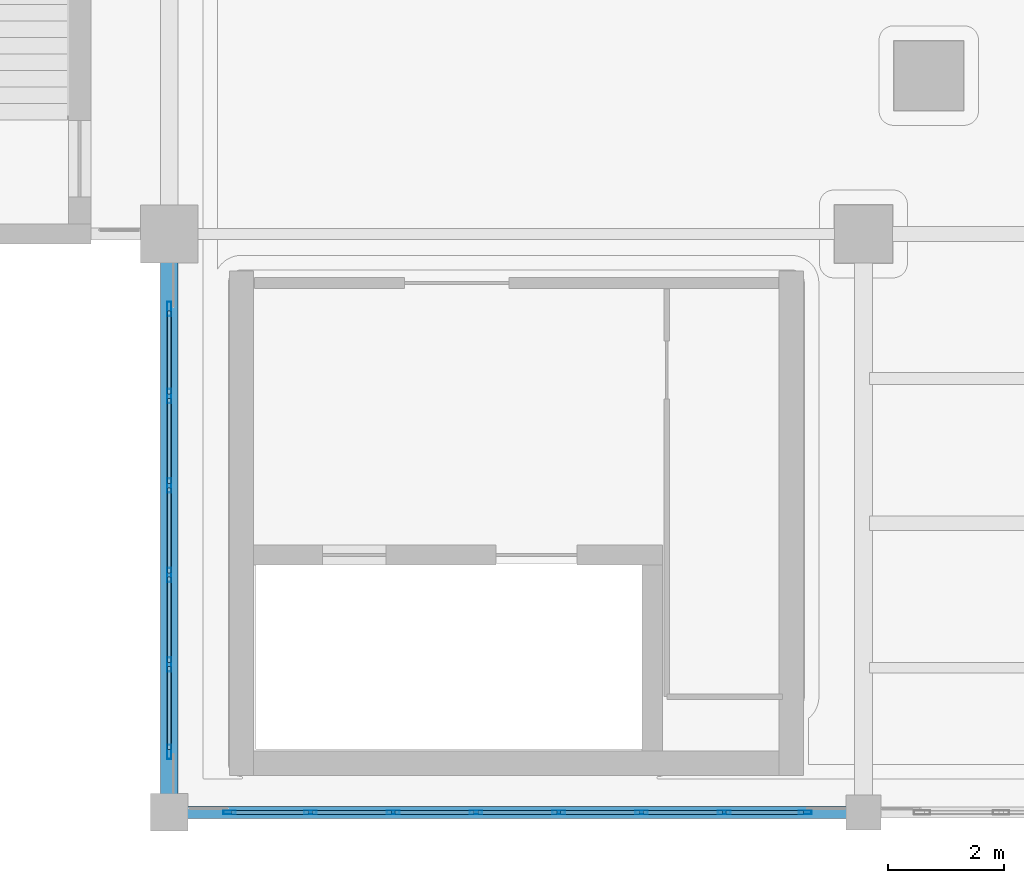
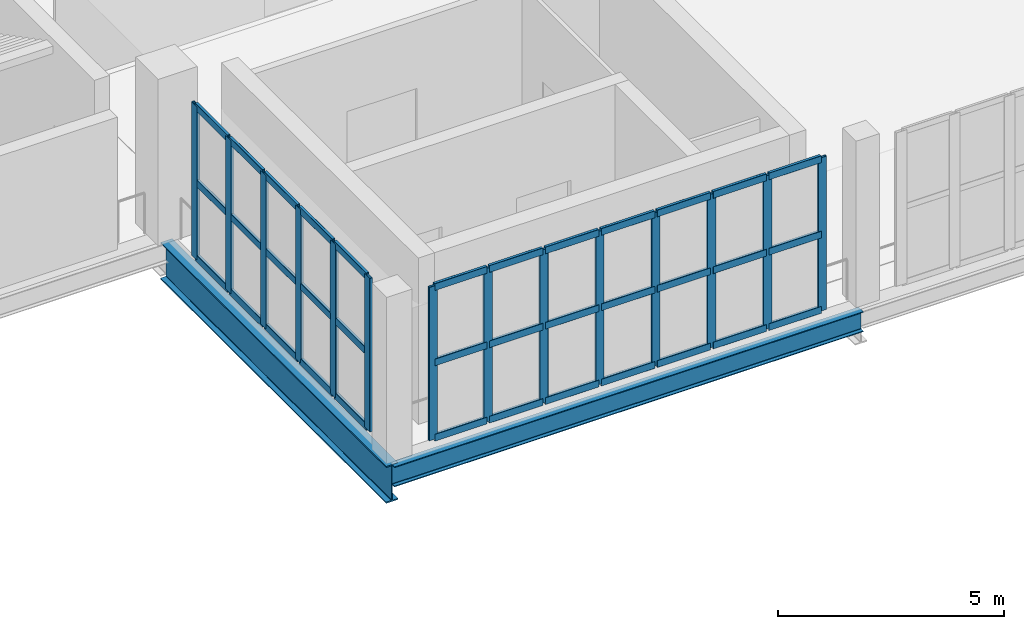
# One storey, part 30 of 108: 50 members, 2 beams, 2 elements without a shape of their own.
"""IFC4 building model written with IfcOpenShell, lengths in metres."""

import ifcopenshell
import ifcopenshell.guid

model = None  # the IFC model being written
_history = None  # IfcOwnerHistory: only IFC2X3 demands one
_inside = {}  # id of a spatial element -> (the spatial element, [elements in it])
_under = {}  # id of a project, library or spatial element -> (it, [spatial elements below it])
_declared = {}  # id of a project -> (the project, [libraries it declares])
_typed = {}  # id of a type object -> (the type object, [elements of that type])
_made_of = {}  # id of a material, layer set ... -> (it, [elements and type objects made of it])


def new_model(schema):
    """Start an empty IFC model of exactly this schema.

    Asked for "IFC4X3", IfcOpenShell would pick the latest addendum, in which some entities
    have other attributes; the version numbers below select the first issue.
    IFC2X3 requires an IfcOwnerHistory on every rooted entity: one is made here for all.
    """
    global model, _history
    if schema == "IFC4X3":
        model = ifcopenshell.file(schema_version=(4, 3, 0, 0))
    else:
        model = ifcopenshell.file(schema=schema)
    _inside.clear()
    _under.clear()
    _declared.clear()
    _typed.clear()
    _made_of.clear()
    _history = None
    if model.schema == "IFC2X3":
        org = make("IfcOrganization", Name="unknown")
        user = make(
            "IfcPersonAndOrganization",
            ThePerson=make("IfcPerson", FamilyName="unknown"),
            TheOrganization=org,
        )
        app = make(
            "IfcApplication",
            ApplicationDeveloper=org,
            Version="unknown",
            ApplicationFullName="unknown",
            ApplicationIdentifier="unknown",
        )
        _history = make(
            "IfcOwnerHistory",
            OwningUser=user,
            OwningApplication=app,
            ChangeAction="ADDED",
            CreationDate=0,
        )
    return model


def make(cls, **values):
    """One entity of the class cls with the attributes given. An attribute that is None is left unset."""
    return model.create_entity(
        cls, **{name: value for name, value in values.items() if value is not None}
    )


def rooted(cls, **values):
    """An entity with a GlobalId (a new one), such as an element, a storey or a relation."""
    return make(cls, GlobalId=ifcopenshell.guid.new(), OwnerHistory=_history, **values)


def si_unit(unit_type, name, prefix=None):
    """IfcSIUnit, for example si_unit("LENGTHUNIT", "METRE", prefix="MILLI")."""
    return make("IfcSIUnit", UnitType=unit_type, Prefix=prefix, Name=name)


def assignment(units):
    """IfcUnitAssignment: the units of a project."""
    return None if units is None else make("IfcUnitAssignment", Units=units)


def point(xyz):
    """IfcCartesianPoint."""
    return None if xyz is None else make("IfcCartesianPoint", Coordinates=xyz)


def direction(xyz):
    """IfcDirection."""
    return None if xyz is None else make("IfcDirection", DirectionRatios=xyz)


def frame(location, z_axis=None, x_axis=None):
    """IfcAxis2Placement3D, a coordinate frame: its origin and axes. An axis left out is left unset."""
    return make(
        "IfcAxis2Placement3D",
        Location=point(location),
        Axis=direction(z_axis),
        RefDirection=direction(x_axis),
    )


def frame_2d(location, x_axis=None):
    """IfcAxis2Placement2D, a coordinate frame in the plane: its origin and x axis."""
    return make(
        "IfcAxis2Placement2D", Location=point(location), RefDirection=direction(x_axis)
    )


def origin():
    """The frame at (0, 0, 0) with its axes left unset."""
    return frame((0.0, 0.0, 0.0))


def origin_2d():
    """The frame at (0, 0) in the plane with its x axis left unset."""
    return frame_2d((0.0, 0.0))


def place(relative_to, where):
    """IfcLocalPlacement: puts the frame where relative to a parent placement (None: the world)."""
    return make(
        "IfcLocalPlacement", PlacementRelTo=relative_to, RelativePlacement=where
    )


def context(
    kind, dimensions, precision=None, world=None, true_north=None, identifier=None
):
    """IfcGeometricRepresentationContext, for example the 3D "Model" context."""
    return make(
        "IfcGeometricRepresentationContext",
        ContextIdentifier=identifier,
        ContextType=kind,
        CoordinateSpaceDimension=dimensions,
        Precision=precision,
        WorldCoordinateSystem=world,
        TrueNorth=true_north,
    )


def subcontext(parent, identifier, kind, view, scale=None):
    """IfcGeometricRepresentationSubContext, for example "Body" below "Model"."""
    return make(
        "IfcGeometricRepresentationSubContext",
        ContextIdentifier=identifier,
        ContextType=kind,
        ParentContext=parent,
        TargetScale=scale,
        TargetView=view,
    )


def project(units=None, contexts=None):
    """IfcProject with its units and contexts."""
    return rooted(
        "IfcProject",
        Name="project",
        RepresentationContexts=contexts,
        UnitsInContext=assignment(units),
    )


def spatial(cls, under=None, at=None, **own):
    """A site, building, storey or space (cls), placed at a placement, below another one or the project."""
    s = rooted(cls, ObjectPlacement=at, **own)
    if under is not None:
        _under.setdefault(under.id(), (under, []))[1].append(s)
    return s


def profile(cls, at=None, kind="AREA", **sizes):
    """A parametric profile (cls). Its sizes go by their IFC names, for example OverallWidth=200.0."""
    return make(cls, ProfileType=kind, Position=at, **sizes)


def hollow_rectangle(**sizes):
    """IfcRectangleHollowProfileDef."""
    return profile("IfcRectangleHollowProfileDef", **sizes)


def i_section(**sizes):
    """IfcIShapeProfileDef."""
    return profile("IfcIShapeProfileDef", **sizes)


def extrude(swept, where, along, depth):
    """IfcExtrudedAreaSolid: the profile swept, set in the frame where, extruded along a direction by depth."""
    return make(
        "IfcExtrudedAreaSolid",
        SweptArea=swept,
        Position=where,
        ExtrudedDirection=direction(along),
        Depth=depth,
    )


def shape(context_of_items, identifier, shape_type, items):
    """IfcShapeRepresentation: the items that make up one representation, for example the "Body"."""
    return make(
        "IfcShapeRepresentation",
        ContextOfItems=context_of_items,
        RepresentationIdentifier=identifier,
        RepresentationType=shape_type,
        Items=items,
    )


def material(Name=None, Category=None):
    """IfcMaterial."""
    return make("IfcMaterial", Name=Name, Category=Category)


def layer(
    of_material, thickness, ventilated=None, Name=None, Category=None, Priority=None
):
    """IfcMaterialLayer: one layer of a wall or slab, of a material (None: an air gap)."""
    return make(
        "IfcMaterialLayer",
        Material=of_material,
        LayerThickness=thickness,
        IsVentilated=ventilated,
        Name=Name,
        Category=Category,
        Priority=Priority,
    )


def layer_set(layers, Name=None):
    """IfcMaterialLayerSet."""
    return make("IfcMaterialLayerSet", MaterialLayers=layers, LayerSetName=Name)


def material_profile(
    of_material, cross_section, Name=None, Category=None, Priority=None
):
    """IfcMaterialProfile: a cross section and its material."""
    return make(
        "IfcMaterialProfile",
        Name=Name,
        Material=of_material,
        Profile=cross_section,
        Priority=Priority,
        Category=Category,
    )


def profile_set(profiles, Name=None, composite=None):
    """IfcMaterialProfileSet."""
    return make(
        "IfcMaterialProfileSet",
        Name=Name,
        MaterialProfiles=profiles,
        CompositeProfile=composite,
    )


def made_of(thing, what):
    """Note that an element or type object is made of a material, layer set ...; save() writes the relation."""
    if what is not None:
        _made_of.setdefault(what.id(), (what, []))[1].append(thing)
    return thing


def type_object(cls, material=None, **own):
    """A type object (cls), such as IfcWallType, which elements share."""
    return made_of(rooted(cls, **own), material)


def element(
    cls,
    number,
    at=None,
    inside=None,
    cuts=None,
    type_object=None,
    material=None,
    context=None,
    identifier="Body",
    shape_type=None,
    held_by="IfcProductDefinitionShape",
    body=None,
    shapes=None,
    **own,
):
    """One element of the class cls, such as IfcWall. Its Tag is "e" and its number.

    at: its placement. inside: the storey or other place that contains it. cuts: it is an
    opening in that element (IfcRelVoidsElement). A single representation is given by context,
    identifier, shape_type and body (its items); several are given by shapes. held_by: the class
    of the entity that holds the representations. save() writes the other relations.
    """
    e = rooted(cls, Tag="e%d" % number, ObjectPlacement=at, **own)
    if body is not None:
        shapes = [shape(context, identifier, shape_type, body)]
    if shapes is not None:
        e.Representation = make(held_by, Representations=shapes)
    if inside is not None:
        _inside.setdefault(inside.id(), (inside, []))[1].append(e)
    if cuts is not None:
        rooted(
            "IfcRelVoidsElement", RelatingBuildingElement=cuts, RelatedOpeningElement=e
        )
    if type_object is not None:
        _typed.setdefault(type_object.id(), (type_object, []))[1].append(e)
    return made_of(e, material)


def aggregate(whole, parts):
    """IfcRelAggregates: a whole, such as a stair, and the parts it consists of."""
    return rooted("IfcRelAggregates", RelatingObject=whole, RelatedObjects=parts)


def save(model, path):
    """Write the relations noted so far, then the file.

    IfcRelAggregates (storeys below a building ...), IfcRelContainedInSpatialStructure (elements
    in a storey), IfcRelDefinesByType, IfcRelAssociatesMaterial and IfcRelDeclares: one each for
    every whole, place, type object, material and project.
    """
    for whole, parts in _under.values():
        aggregate(whole, parts)
    for where, things in _inside.values():
        rooted(
            "IfcRelContainedInSpatialStructure",
            RelatedElements=things,
            RelatingStructure=where,
        )
    for kind, things in _typed.values():
        rooted("IfcRelDefinesByType", RelatedObjects=things, RelatingType=kind)
    for what, things in _made_of.values():
        rooted("IfcRelAssociatesMaterial", RelatedObjects=things, RelatingMaterial=what)
    for by, libraries in _declared.values():
        rooted("IfcRelDeclares", RelatingContext=by, RelatedDefinitions=libraries)
    model.write(path)


model = new_model("IFC4")

# Units and contexts
model_context = context("Model", 3, precision=1e-05, world=origin(), true_north=direction((0.0, 1.0)))
body_context = subcontext(model_context, "Body", "Model", "MODEL_VIEW")
ifc_project = project(units=[si_unit("LENGTHUNIT", "METRE"), si_unit("AREAUNIT", "SQUARE_METRE"), si_unit("VOLUMEUNIT", "CUBIC_METRE"), si_unit("PLANEANGLEUNIT", "RADIAN"), si_unit("MASSUNIT", "GRAM", prefix="KILO")], contexts=[model_context])

# Site, building, storey
site_placement = place(None, origin())
site = spatial("IfcSite", under=ifc_project, at=site_placement, CompositionType="ELEMENT")
building_placement = place(site_placement, origin())
building = spatial("IfcBuilding", under=site, at=building_placement, Name="Brinegate Civic Arena", CompositionType="ELEMENT")
storey_placement = place(building_placement, frame((0.0, 0.0, 10.199951171875)))
storey = spatial("IfcBuildingStorey", under=building, at=storey_placement, Name="L02", CompositionType="ELEMENT", Elevation=10.199951171875)

# Curtain wall, members
ifc_material_1 = material(Name="Marine grade aluminium", Category="aluminium")
ifc_layer = layer(ifc_material_1, 0.25, Name="Marine grade aluminium")
ifc_layer_set = layer_set([ifc_layer], Name="Marine grade aluminium")
curtain_wall_type = type_object("IfcCurtainWallType", Name="CW-PORTAL-SOUTH-02", PredefinedType="USERDEFINED", material=ifc_layer_set)
curtain_wall_1_placement = place(storey_placement, origin())
curtain_wall_1 = element("IfcCurtainWall", 1, at=curtain_wall_1_placement, inside=storey, type_object=curtain_wall_type, Name="Curtain Wall CWA-097", ObjectType="PORTAL CURTAIN WALL", PredefinedType="USERDEFINED")
ifc_material_profile_1 = material_profile(ifc_material_1, hollow_rectangle(XDim=0.06494140625, YDim=0.219970703125, WallThickness=0.006103515625, InnerFilletRadius=0.00390625, OuterFilletRadius=0.008056640625, at=origin_2d()), Name="MUL65X220")
ifc_profile_set_1 = profile_set([ifc_material_profile_1], Name="Marine grade aluminium")
member_type_1 = type_object("IfcMemberType", Name="CW-MULLION-65X220", PredefinedType="MULLION", material=ifc_profile_set_1)
member_1_placement = place(storey_placement, frame((85.04248046875, 0.0, 0.0), z_axis=(0.0, 0.0, 1.0), x_axis=(0.0, 1.0, 0.0)))
member_1 = element("IfcMember", 2, at=member_1_placement, type_object=member_type_1, Name="CWA-097 mullion 1", PredefinedType="MULLION", context=body_context, shape_type="SweptSolid", body=[
    extrude(hollow_rectangle(XDim=0.06494140625, YDim=0.219970703125, WallThickness=0.006103515625, InnerFilletRadius=0.00390625, OuterFilletRadius=0.008056640625, at=origin_2d()), origin(), (0.0, 0.0, 1.0), 4.150146484375),
])
member_2_placement = place(storey_placement, frame((86.44091796875, 0.0, 0.0), z_axis=(0.0, 0.0, 1.0), x_axis=(0.0, 1.0, 0.0)))
member_2 = element("IfcMember", 3, at=member_2_placement, type_object=member_type_1, Name="CWA-097 mullion 2", PredefinedType="MULLION", context=body_context, shape_type="SweptSolid", body=[
    extrude(hollow_rectangle(XDim=0.06494140625, YDim=0.219970703125, WallThickness=0.006103515625, InnerFilletRadius=0.00390625, OuterFilletRadius=0.008056640625, at=origin_2d()), origin(), (0.0, 0.0, 1.0), 4.150146484375),
])
member_3_placement = place(storey_placement, frame((87.871826171875, 0.0, 0.0), z_axis=(0.0, 0.0, 1.0), x_axis=(0.0, 1.0, 0.0)))
member_3 = element("IfcMember", 4, at=member_3_placement, type_object=member_type_1, Name="CWA-097 mullion 3", PredefinedType="MULLION", context=body_context, shape_type="SweptSolid", body=[
    extrude(hollow_rectangle(XDim=0.06494140625, YDim=0.219970703125, WallThickness=0.006103515625, InnerFilletRadius=0.00390625, OuterFilletRadius=0.008056640625, at=origin_2d()), origin(), (0.0, 0.0, 1.0), 4.150146484375),
])
member_4_placement = place(storey_placement, frame((89.302490234375, 0.0, 0.0), z_axis=(0.0, 0.0, 1.0), x_axis=(0.0, 1.0, 0.0)))
member_4 = element("IfcMember", 5, at=member_4_placement, type_object=member_type_1, Name="CWA-097 mullion 4", PredefinedType="MULLION", context=body_context, shape_type="SweptSolid", body=[
    extrude(hollow_rectangle(XDim=0.06494140625, YDim=0.219970703125, WallThickness=0.006103515625, InnerFilletRadius=0.00390625, OuterFilletRadius=0.008056640625, at=origin_2d()), origin(), (0.0, 0.0, 1.0), 4.150146484375),
])
member_5_placement = place(storey_placement, frame((90.7333984375, 0.0, 0.0), z_axis=(0.0, 0.0, 1.0), x_axis=(0.0, 1.0, 0.0)))
member_5 = element("IfcMember", 6, at=member_5_placement, type_object=member_type_1, Name="CWA-097 mullion 5", PredefinedType="MULLION", context=body_context, shape_type="SweptSolid", body=[
    extrude(hollow_rectangle(XDim=0.06494140625, YDim=0.219970703125, WallThickness=0.006103515625, InnerFilletRadius=0.00390625, OuterFilletRadius=0.008056640625, at=origin_2d()), origin(), (0.0, 0.0, 1.0), 4.150146484375),
])
member_6_placement = place(storey_placement, frame((92.164306640625, 0.0, 0.0), z_axis=(0.0, 0.0, 1.0), x_axis=(0.0, 1.0, 0.0)))
member_6 = element("IfcMember", 7, at=member_6_placement, type_object=member_type_1, Name="CWA-097 mullion 6", PredefinedType="MULLION", context=body_context, shape_type="SweptSolid", body=[
    extrude(hollow_rectangle(XDim=0.06494140625, YDim=0.219970703125, WallThickness=0.006103515625, InnerFilletRadius=0.00390625, OuterFilletRadius=0.008056640625, at=origin_2d()), origin(), (0.0, 0.0, 1.0), 4.150146484375),
])
member_7_placement = place(storey_placement, frame((93.59521484375, 0.0, 0.0), z_axis=(0.0, 0.0, 1.0), x_axis=(0.0, 1.0, 0.0)))
member_7 = element("IfcMember", 8, at=member_7_placement, type_object=member_type_1, Name="CWA-097 mullion 7", PredefinedType="MULLION", context=body_context, shape_type="SweptSolid", body=[
    extrude(hollow_rectangle(XDim=0.06494140625, YDim=0.219970703125, WallThickness=0.006103515625, InnerFilletRadius=0.00390625, OuterFilletRadius=0.008056640625, at=origin_2d()), origin(), (0.0, 0.0, 1.0), 4.150146484375),
])
member_8_placement = place(storey_placement, frame((94.993408203125, 0.0, 0.0), z_axis=(0.0, 0.0, 1.0), x_axis=(0.0, 1.0, 0.0)))
member_8 = element("IfcMember", 9, at=member_8_placement, type_object=member_type_1, Name="CWA-097 mullion 8", PredefinedType="MULLION", context=body_context, shape_type="SweptSolid", body=[
    extrude(hollow_rectangle(XDim=0.06494140625, YDim=0.219970703125, WallThickness=0.006103515625, InnerFilletRadius=0.00390625, OuterFilletRadius=0.008056640625, at=origin_2d()), origin(), (0.0, 0.0, 1.0), 4.150146484375),
])

curtain_wall_2_placement = place(storey_placement, origin())
curtain_wall_2 = element("IfcCurtainWall", 10, at=curtain_wall_2_placement, inside=storey, type_object=curtain_wall_type, Name="Curtain Wall CWA-102", ObjectType="PORTAL CURTAIN WALL", PredefinedType="USERDEFINED")
ifc_material_profile_2 = material_profile(ifc_material_1, hollow_rectangle(XDim=0.074951171875, YDim=0.25, WallThickness=0.006103515625, InnerFilletRadius=0.00390625, OuterFilletRadius=0.008056640625, at=origin_2d()), Name="MUL75X250")
ifc_profile_set_2 = profile_set([ifc_material_profile_2], Name="Marine grade aluminium")
member_type_2 = type_object("IfcMemberType", Name="CW-MULLION-75X250", PredefinedType="MULLION", material=ifc_profile_set_2)
member_9_placement = place(storey_placement, frame((84.0, 1.047607421875, 0.0), z_axis=(0.0, 0.0, 1.0), x_axis=(-1.0, 0.0, 0.0)))
member_9 = element("IfcMember", 11, at=member_9_placement, type_object=member_type_2, Name="CWA-102 mullion 1", PredefinedType="MULLION", context=body_context, shape_type="SweptSolid", body=[
    extrude(hollow_rectangle(XDim=0.074951171875, YDim=0.25, WallThickness=0.006103515625, InnerFilletRadius=0.00390625, OuterFilletRadius=0.008056640625, at=origin_2d()), origin(), (0.0, 0.0, 1.0), 4.150146484375),
])
member_10_placement = place(storey_placement, frame((84.0, 2.556640625, 0.0), z_axis=(0.0, 0.0, 1.0), x_axis=(-1.0, 0.0, 0.0)))
member_10 = element("IfcMember", 12, at=member_10_placement, type_object=member_type_2, Name="CWA-102 mullion 2", PredefinedType="MULLION", context=body_context, shape_type="SweptSolid", body=[
    extrude(hollow_rectangle(XDim=0.074951171875, YDim=0.25, WallThickness=0.006103515625, InnerFilletRadius=0.00390625, OuterFilletRadius=0.008056640625, at=origin_2d()), origin(), (0.0, 0.0, 1.0), 4.150146484375),
])
member_11_placement = place(storey_placement, frame((84.0, 4.103271484375, 0.0), z_axis=(0.0, 0.0, 1.0), x_axis=(-1.0, 0.0, 0.0)))
member_11 = element("IfcMember", 13, at=member_11_placement, type_object=member_type_2, Name="CWA-102 mullion 3", PredefinedType="MULLION", context=body_context, shape_type="SweptSolid", body=[
    extrude(hollow_rectangle(XDim=0.074951171875, YDim=0.25, WallThickness=0.006103515625, InnerFilletRadius=0.00390625, OuterFilletRadius=0.008056640625, at=origin_2d()), origin(), (0.0, 0.0, 1.0), 4.150146484375),
])
member_12_placement = place(storey_placement, frame((84.0, 5.64990234375, 0.0), z_axis=(0.0, 0.0, 1.0), x_axis=(-1.0, 0.0, 0.0)))
member_12 = element("IfcMember", 14, at=member_12_placement, type_object=member_type_2, Name="CWA-102 mullion 4", PredefinedType="MULLION", context=body_context, shape_type="SweptSolid", body=[
    extrude(hollow_rectangle(XDim=0.074951171875, YDim=0.25, WallThickness=0.006103515625, InnerFilletRadius=0.00390625, OuterFilletRadius=0.008056640625, at=origin_2d()), origin(), (0.0, 0.0, 1.0), 4.150146484375),
])
member_13_placement = place(storey_placement, frame((84.0, 7.1962890625, 0.0), z_axis=(0.0, 0.0, 1.0), x_axis=(-1.0, 0.0, 0.0)))
member_13 = element("IfcMember", 15, at=member_13_placement, type_object=member_type_2, Name="CWA-102 mullion 5", PredefinedType="MULLION", context=body_context, shape_type="SweptSolid", body=[
    extrude(hollow_rectangle(XDim=0.074951171875, YDim=0.25, WallThickness=0.006103515625, InnerFilletRadius=0.00390625, OuterFilletRadius=0.008056640625, at=origin_2d()), origin(), (0.0, 0.0, 1.0), 4.150146484375),
])
member_14_placement = place(storey_placement, frame((84.0, 8.70556640625, 0.0), z_axis=(0.0, 0.0, 1.0), x_axis=(-1.0, 0.0, 0.0)))
member_14 = element("IfcMember", 16, at=member_14_placement, type_object=member_type_2, Name="CWA-102 mullion 6", PredefinedType="MULLION", context=body_context, shape_type="SweptSolid", body=[
    extrude(hollow_rectangle(XDim=0.074951171875, YDim=0.25, WallThickness=0.006103515625, InnerFilletRadius=0.00390625, OuterFilletRadius=0.008056640625, at=origin_2d()), origin(), (0.0, 0.0, 1.0), 4.150146484375),
])

# Member
ifc_material_profile_3 = material_profile(ifc_material_1, hollow_rectangle(XDim=0.074951171875, YDim=0.18994140625, WallThickness=0.006103515625, InnerFilletRadius=0.00390625, OuterFilletRadius=0.008056640625, at=origin_2d()), Name="TRN75X190")
ifc_profile_set_3 = profile_set([ifc_material_profile_3], Name="Marine grade aluminium")
member_type_3 = type_object("IfcMemberType", Name="CW-TRANSOM-75X190", PredefinedType="USERDEFINED", material=ifc_profile_set_3)
member_15_placement = place(storey_placement, frame((85.074951171875, 0.0, 0.03759765625), z_axis=(1.0, 0.0, 0.0), x_axis=(0.0, 1.0, 0.0)))
member_15 = element("IfcMember", 17, at=member_15_placement, type_object=member_type_3, Name="CWA-097 transom 1.1", ObjectType="TRANSOM", PredefinedType="USERDEFINED", context=body_context, shape_type="SweptSolid", body=[
    extrude(hollow_rectangle(XDim=0.074951171875, YDim=0.18994140625, WallThickness=0.006103515625, InnerFilletRadius=0.00390625, OuterFilletRadius=0.008056640625, at=origin_2d()), origin(), (0.0, 0.0, 1.0), 1.33349609375),
])

member_16_placement = place(storey_placement, frame((85.074951171875, 0.0, 2.074951171875), z_axis=(1.0, 0.0, 0.0), x_axis=(0.0, 1.0, 0.0)))
member_16 = element("IfcMember", 18, at=member_16_placement, type_object=member_type_3, Name="CWA-097 transom 1.2", ObjectType="TRANSOM", PredefinedType="USERDEFINED", context=body_context, shape_type="SweptSolid", body=[
    extrude(hollow_rectangle(XDim=0.074951171875, YDim=0.18994140625, WallThickness=0.006103515625, InnerFilletRadius=0.00390625, OuterFilletRadius=0.008056640625, at=origin_2d()), origin(), (0.0, 0.0, 1.0), 1.33349609375),
])

member_17_placement = place(storey_placement, frame((85.074951171875, 0.0, 4.112548828125), z_axis=(1.0, 0.0, 0.0), x_axis=(0.0, 1.0, 0.0)))
member_17 = element("IfcMember", 19, at=member_17_placement, type_object=member_type_3, Name="CWA-097 transom 1.3", ObjectType="TRANSOM", PredefinedType="USERDEFINED", context=body_context, shape_type="SweptSolid", body=[
    extrude(hollow_rectangle(XDim=0.074951171875, YDim=0.18994140625, WallThickness=0.006103515625, InnerFilletRadius=0.00390625, OuterFilletRadius=0.008056640625, at=origin_2d()), origin(), (0.0, 0.0, 1.0), 1.33349609375),
])

member_18_placement = place(storey_placement, frame((86.473388671875, 0.0, 0.03759765625), z_axis=(1.0, 0.0, 0.0), x_axis=(0.0, 1.0, 0.0)))
member_18 = element("IfcMember", 20, at=member_18_placement, type_object=member_type_3, Name="CWA-097 transom 2.1", ObjectType="TRANSOM", PredefinedType="USERDEFINED", context=body_context, shape_type="SweptSolid", body=[
    extrude(hollow_rectangle(XDim=0.074951171875, YDim=0.18994140625, WallThickness=0.006103515625, InnerFilletRadius=0.00390625, OuterFilletRadius=0.008056640625, at=origin_2d()), origin(), (0.0, 0.0, 1.0), 1.36572265625),
])

member_19_placement = place(storey_placement, frame((86.473388671875, 0.0, 2.074951171875), z_axis=(1.0, 0.0, 0.0), x_axis=(0.0, 1.0, 0.0)))
member_19 = element("IfcMember", 21, at=member_19_placement, type_object=member_type_3, Name="CWA-097 transom 2.2", ObjectType="TRANSOM", PredefinedType="USERDEFINED", context=body_context, shape_type="SweptSolid", body=[
    extrude(hollow_rectangle(XDim=0.074951171875, YDim=0.18994140625, WallThickness=0.006103515625, InnerFilletRadius=0.00390625, OuterFilletRadius=0.008056640625, at=origin_2d()), origin(), (0.0, 0.0, 1.0), 1.36572265625),
])

member_20_placement = place(storey_placement, frame((86.473388671875, 0.0, 4.112548828125), z_axis=(1.0, 0.0, 0.0), x_axis=(0.0, 1.0, 0.0)))
member_20 = element("IfcMember", 22, at=member_20_placement, type_object=member_type_3, Name="CWA-097 transom 2.3", ObjectType="TRANSOM", PredefinedType="USERDEFINED", context=body_context, shape_type="SweptSolid", body=[
    extrude(hollow_rectangle(XDim=0.074951171875, YDim=0.18994140625, WallThickness=0.006103515625, InnerFilletRadius=0.00390625, OuterFilletRadius=0.008056640625, at=origin_2d()), origin(), (0.0, 0.0, 1.0), 1.36572265625),
])

member_21_placement = place(storey_placement, frame((87.904296875, 0.0, 0.03759765625), z_axis=(1.0, 0.0, 0.0), x_axis=(0.0, 1.0, 0.0)))
member_21 = element("IfcMember", 23, at=member_21_placement, type_object=member_type_3, Name="CWA-097 transom 3.1", ObjectType="TRANSOM", PredefinedType="USERDEFINED", context=body_context, shape_type="SweptSolid", body=[
    extrude(hollow_rectangle(XDim=0.074951171875, YDim=0.18994140625, WallThickness=0.006103515625, InnerFilletRadius=0.00390625, OuterFilletRadius=0.008056640625, at=origin_2d()), origin(), (0.0, 0.0, 1.0), 1.36572265625),
])

member_22_placement = place(storey_placement, frame((87.904296875, 0.0, 2.074951171875), z_axis=(1.0, 0.0, 0.0), x_axis=(0.0, 1.0, 0.0)))
member_22 = element("IfcMember", 24, at=member_22_placement, type_object=member_type_3, Name="CWA-097 transom 3.2", ObjectType="TRANSOM", PredefinedType="USERDEFINED", context=body_context, shape_type="SweptSolid", body=[
    extrude(hollow_rectangle(XDim=0.074951171875, YDim=0.18994140625, WallThickness=0.006103515625, InnerFilletRadius=0.00390625, OuterFilletRadius=0.008056640625, at=origin_2d()), origin(), (0.0, 0.0, 1.0), 1.36572265625),
])

member_23_placement = place(storey_placement, frame((87.904296875, 0.0, 4.112548828125), z_axis=(1.0, 0.0, 0.0), x_axis=(0.0, 1.0, 0.0)))
member_23 = element("IfcMember", 25, at=member_23_placement, type_object=member_type_3, Name="CWA-097 transom 3.3", ObjectType="TRANSOM", PredefinedType="USERDEFINED", context=body_context, shape_type="SweptSolid", body=[
    extrude(hollow_rectangle(XDim=0.074951171875, YDim=0.18994140625, WallThickness=0.006103515625, InnerFilletRadius=0.00390625, OuterFilletRadius=0.008056640625, at=origin_2d()), origin(), (0.0, 0.0, 1.0), 1.36572265625),
])

member_24_placement = place(storey_placement, frame((89.3349609375, 0.0, 0.03759765625), z_axis=(1.0, 0.0, 0.0), x_axis=(0.0, 1.0, 0.0)))
member_24 = element("IfcMember", 26, at=member_24_placement, type_object=member_type_3, Name="CWA-097 transom 4.1", ObjectType="TRANSOM", PredefinedType="USERDEFINED", context=body_context, shape_type="SweptSolid", body=[
    extrude(hollow_rectangle(XDim=0.074951171875, YDim=0.18994140625, WallThickness=0.006103515625, InnerFilletRadius=0.00390625, OuterFilletRadius=0.008056640625, at=origin_2d()), origin(), (0.0, 0.0, 1.0), 1.365966796875),
])

member_25_placement = place(storey_placement, frame((89.3349609375, 0.0, 2.074951171875), z_axis=(1.0, 0.0, 0.0), x_axis=(0.0, 1.0, 0.0)))
member_25 = element("IfcMember", 27, at=member_25_placement, type_object=member_type_3, Name="CWA-097 transom 4.2", ObjectType="TRANSOM", PredefinedType="USERDEFINED", context=body_context, shape_type="SweptSolid", body=[
    extrude(hollow_rectangle(XDim=0.074951171875, YDim=0.18994140625, WallThickness=0.006103515625, InnerFilletRadius=0.00390625, OuterFilletRadius=0.008056640625, at=origin_2d()), origin(), (0.0, 0.0, 1.0), 1.365966796875),
])

member_26_placement = place(storey_placement, frame((89.3349609375, 0.0, 4.112548828125), z_axis=(1.0, 0.0, 0.0), x_axis=(0.0, 1.0, 0.0)))
member_26 = element("IfcMember", 28, at=member_26_placement, type_object=member_type_3, Name="CWA-097 transom 4.3", ObjectType="TRANSOM", PredefinedType="USERDEFINED", context=body_context, shape_type="SweptSolid", body=[
    extrude(hollow_rectangle(XDim=0.074951171875, YDim=0.18994140625, WallThickness=0.006103515625, InnerFilletRadius=0.00390625, OuterFilletRadius=0.008056640625, at=origin_2d()), origin(), (0.0, 0.0, 1.0), 1.365966796875),
])

member_27_placement = place(storey_placement, frame((90.765869140625, 0.0, 0.03759765625), z_axis=(1.0, 0.0, 0.0), x_axis=(0.0, 1.0, 0.0)))
member_27 = element("IfcMember", 29, at=member_27_placement, type_object=member_type_3, Name="CWA-097 transom 5.1", ObjectType="TRANSOM", PredefinedType="USERDEFINED", context=body_context, shape_type="SweptSolid", body=[
    extrude(hollow_rectangle(XDim=0.074951171875, YDim=0.18994140625, WallThickness=0.006103515625, InnerFilletRadius=0.00390625, OuterFilletRadius=0.008056640625, at=origin_2d()), origin(), (0.0, 0.0, 1.0), 1.365966796875),
])

member_28_placement = place(storey_placement, frame((90.765869140625, 0.0, 2.074951171875), z_axis=(1.0, 0.0, 0.0), x_axis=(0.0, 1.0, 0.0)))
member_28 = element("IfcMember", 30, at=member_28_placement, type_object=member_type_3, Name="CWA-097 transom 5.2", ObjectType="TRANSOM", PredefinedType="USERDEFINED", context=body_context, shape_type="SweptSolid", body=[
    extrude(hollow_rectangle(XDim=0.074951171875, YDim=0.18994140625, WallThickness=0.006103515625, InnerFilletRadius=0.00390625, OuterFilletRadius=0.008056640625, at=origin_2d()), origin(), (0.0, 0.0, 1.0), 1.365966796875),
])

member_29_placement = place(storey_placement, frame((90.765869140625, 0.0, 4.112548828125), z_axis=(1.0, 0.0, 0.0), x_axis=(0.0, 1.0, 0.0)))
member_29 = element("IfcMember", 31, at=member_29_placement, type_object=member_type_3, Name="CWA-097 transom 5.3", ObjectType="TRANSOM", PredefinedType="USERDEFINED", context=body_context, shape_type="SweptSolid", body=[
    extrude(hollow_rectangle(XDim=0.074951171875, YDim=0.18994140625, WallThickness=0.006103515625, InnerFilletRadius=0.00390625, OuterFilletRadius=0.008056640625, at=origin_2d()), origin(), (0.0, 0.0, 1.0), 1.365966796875),
])

member_30_placement = place(storey_placement, frame((92.19677734375, 0.0, 0.03759765625), z_axis=(1.0, 0.0, 0.0), x_axis=(0.0, 1.0, 0.0)))
member_30 = element("IfcMember", 32, at=member_30_placement, type_object=member_type_3, Name="CWA-097 transom 6.1", ObjectType="TRANSOM", PredefinedType="USERDEFINED", context=body_context, shape_type="SweptSolid", body=[
    extrude(hollow_rectangle(XDim=0.074951171875, YDim=0.18994140625, WallThickness=0.006103515625, InnerFilletRadius=0.00390625, OuterFilletRadius=0.008056640625, at=origin_2d()), origin(), (0.0, 0.0, 1.0), 1.365966796875),
])

member_31_placement = place(storey_placement, frame((92.19677734375, 0.0, 2.074951171875), z_axis=(1.0, 0.0, 0.0), x_axis=(0.0, 1.0, 0.0)))
member_31 = element("IfcMember", 33, at=member_31_placement, type_object=member_type_3, Name="CWA-097 transom 6.2", ObjectType="TRANSOM", PredefinedType="USERDEFINED", context=body_context, shape_type="SweptSolid", body=[
    extrude(hollow_rectangle(XDim=0.074951171875, YDim=0.18994140625, WallThickness=0.006103515625, InnerFilletRadius=0.00390625, OuterFilletRadius=0.008056640625, at=origin_2d()), origin(), (0.0, 0.0, 1.0), 1.365966796875),
])

member_32_placement = place(storey_placement, frame((92.19677734375, 0.0, 4.112548828125), z_axis=(1.0, 0.0, 0.0), x_axis=(0.0, 1.0, 0.0)))
member_32 = element("IfcMember", 34, at=member_32_placement, type_object=member_type_3, Name="CWA-097 transom 6.3", ObjectType="TRANSOM", PredefinedType="USERDEFINED", context=body_context, shape_type="SweptSolid", body=[
    extrude(hollow_rectangle(XDim=0.074951171875, YDim=0.18994140625, WallThickness=0.006103515625, InnerFilletRadius=0.00390625, OuterFilletRadius=0.008056640625, at=origin_2d()), origin(), (0.0, 0.0, 1.0), 1.365966796875),
])

member_33_placement = place(storey_placement, frame((93.627685546875, 0.0, 0.03759765625), z_axis=(1.0, 0.0, 0.0), x_axis=(0.0, 1.0, 0.0)))
member_33 = element("IfcMember", 35, at=member_33_placement, type_object=member_type_3, Name="CWA-097 transom 7.1", ObjectType="TRANSOM", PredefinedType="USERDEFINED", context=body_context, shape_type="SweptSolid", body=[
    extrude(hollow_rectangle(XDim=0.074951171875, YDim=0.18994140625, WallThickness=0.006103515625, InnerFilletRadius=0.00390625, OuterFilletRadius=0.008056640625, at=origin_2d()), origin(), (0.0, 0.0, 1.0), 1.333251953125),
])

member_34_placement = place(storey_placement, frame((93.627685546875, 0.0, 2.074951171875), z_axis=(1.0, 0.0, 0.0), x_axis=(0.0, 1.0, 0.0)))
member_34 = element("IfcMember", 36, at=member_34_placement, type_object=member_type_3, Name="CWA-097 transom 7.2", ObjectType="TRANSOM", PredefinedType="USERDEFINED", context=body_context, shape_type="SweptSolid", body=[
    extrude(hollow_rectangle(XDim=0.074951171875, YDim=0.18994140625, WallThickness=0.006103515625, InnerFilletRadius=0.00390625, OuterFilletRadius=0.008056640625, at=origin_2d()), origin(), (0.0, 0.0, 1.0), 1.333251953125),
])

member_35_placement = place(storey_placement, frame((93.627685546875, 0.0, 4.112548828125), z_axis=(1.0, 0.0, 0.0), x_axis=(0.0, 1.0, 0.0)))
member_35 = element("IfcMember", 37, at=member_35_placement, type_object=member_type_3, Name="CWA-097 transom 7.3", ObjectType="TRANSOM", PredefinedType="USERDEFINED", context=body_context, shape_type="SweptSolid", body=[
    extrude(hollow_rectangle(XDim=0.074951171875, YDim=0.18994140625, WallThickness=0.006103515625, InnerFilletRadius=0.00390625, OuterFilletRadius=0.008056640625, at=origin_2d()), origin(), (0.0, 0.0, 1.0), 1.333251953125),
])

aggregate(curtain_wall_1, [member_1, member_2, member_3, member_4, member_5, member_6, member_7, member_8, member_15, member_16, member_17, member_18, member_19, member_20, member_21, member_22, member_23, member_24, member_25, member_26, member_27, member_28, member_29, member_30, member_31, member_32, member_33, member_34, member_35])

member_36_placement = place(storey_placement, frame((84.0, 1.0849609375, 0.03759765625), z_axis=(0.0, 1.0, 0.0), x_axis=(-1.0, 0.0, 0.0)))
member_36 = element("IfcMember", 38, at=member_36_placement, type_object=member_type_3, Name="CWA-102 transom 1.1", ObjectType="TRANSOM", PredefinedType="USERDEFINED", context=body_context, shape_type="SweptSolid", body=[
    extrude(hollow_rectangle(XDim=0.074951171875, YDim=0.18994140625, WallThickness=0.006103515625, InnerFilletRadius=0.00390625, OuterFilletRadius=0.008056640625, at=origin_2d()), origin(), (0.0, 0.0, 1.0), 1.43408203125),
])

member_37_placement = place(storey_placement, frame((84.0, 1.0849609375, 2.074951171875), z_axis=(0.0, 1.0, 0.0), x_axis=(-1.0, 0.0, 0.0)))
member_37 = element("IfcMember", 39, at=member_37_placement, type_object=member_type_3, Name="CWA-102 transom 1.2", ObjectType="TRANSOM", PredefinedType="USERDEFINED", context=body_context, shape_type="SweptSolid", body=[
    extrude(hollow_rectangle(XDim=0.074951171875, YDim=0.18994140625, WallThickness=0.006103515625, InnerFilletRadius=0.00390625, OuterFilletRadius=0.008056640625, at=origin_2d()), origin(), (0.0, 0.0, 1.0), 1.43408203125),
])

member_38_placement = place(storey_placement, frame((84.0, 1.0849609375, 4.112548828125), z_axis=(0.0, 1.0, 0.0), x_axis=(-1.0, 0.0, 0.0)))
member_38 = element("IfcMember", 40, at=member_38_placement, type_object=member_type_3, Name="CWA-102 transom 1.3", ObjectType="TRANSOM", PredefinedType="USERDEFINED", context=body_context, shape_type="SweptSolid", body=[
    extrude(hollow_rectangle(XDim=0.074951171875, YDim=0.18994140625, WallThickness=0.006103515625, InnerFilletRadius=0.00390625, OuterFilletRadius=0.008056640625, at=origin_2d()), origin(), (0.0, 0.0, 1.0), 1.43408203125),
])

member_39_placement = place(storey_placement, frame((84.0, 2.593994140625, 0.03759765625), z_axis=(0.0, 1.0, 0.0), x_axis=(-1.0, 0.0, 0.0)))
member_39 = element("IfcMember", 41, at=member_39_placement, type_object=member_type_3, Name="CWA-102 transom 2.1", ObjectType="TRANSOM", PredefinedType="USERDEFINED", context=body_context, shape_type="SweptSolid", body=[
    extrude(hollow_rectangle(XDim=0.074951171875, YDim=0.18994140625, WallThickness=0.006103515625, InnerFilletRadius=0.00390625, OuterFilletRadius=0.008056640625, at=origin_2d()), origin(), (0.0, 0.0, 1.0), 1.4716796875),
])

member_40_placement = place(storey_placement, frame((84.0, 2.593994140625, 2.074951171875), z_axis=(0.0, 1.0, 0.0), x_axis=(-1.0, 0.0, 0.0)))
member_40 = element("IfcMember", 42, at=member_40_placement, type_object=member_type_3, Name="CWA-102 transom 2.2", ObjectType="TRANSOM", PredefinedType="USERDEFINED", context=body_context, shape_type="SweptSolid", body=[
    extrude(hollow_rectangle(XDim=0.074951171875, YDim=0.18994140625, WallThickness=0.006103515625, InnerFilletRadius=0.00390625, OuterFilletRadius=0.008056640625, at=origin_2d()), origin(), (0.0, 0.0, 1.0), 1.4716796875),
])

member_41_placement = place(storey_placement, frame((84.0, 2.593994140625, 4.112548828125), z_axis=(0.0, 1.0, 0.0), x_axis=(-1.0, 0.0, 0.0)))
member_41 = element("IfcMember", 43, at=member_41_placement, type_object=member_type_3, Name="CWA-102 transom 2.3", ObjectType="TRANSOM", PredefinedType="USERDEFINED", context=body_context, shape_type="SweptSolid", body=[
    extrude(hollow_rectangle(XDim=0.074951171875, YDim=0.18994140625, WallThickness=0.006103515625, InnerFilletRadius=0.00390625, OuterFilletRadius=0.008056640625, at=origin_2d()), origin(), (0.0, 0.0, 1.0), 1.4716796875),
])

member_42_placement = place(storey_placement, frame((84.0, 4.140625, 0.03759765625), z_axis=(0.0, 1.0, 0.0), x_axis=(-1.0, 0.0, 0.0)))
member_42 = element("IfcMember", 44, at=member_42_placement, type_object=member_type_3, Name="CWA-102 transom 3.1", ObjectType="TRANSOM", PredefinedType="USERDEFINED", context=body_context, shape_type="SweptSolid", body=[
    extrude(hollow_rectangle(XDim=0.074951171875, YDim=0.18994140625, WallThickness=0.006103515625, InnerFilletRadius=0.00390625, OuterFilletRadius=0.008056640625, at=origin_2d()), origin(), (0.0, 0.0, 1.0), 1.4716796875),
])

member_43_placement = place(storey_placement, frame((84.0, 4.140625, 2.074951171875), z_axis=(0.0, 1.0, 0.0), x_axis=(-1.0, 0.0, 0.0)))
member_43 = element("IfcMember", 45, at=member_43_placement, type_object=member_type_3, Name="CWA-102 transom 3.2", ObjectType="TRANSOM", PredefinedType="USERDEFINED", context=body_context, shape_type="SweptSolid", body=[
    extrude(hollow_rectangle(XDim=0.074951171875, YDim=0.18994140625, WallThickness=0.006103515625, InnerFilletRadius=0.00390625, OuterFilletRadius=0.008056640625, at=origin_2d()), origin(), (0.0, 0.0, 1.0), 1.4716796875),
])

member_44_placement = place(storey_placement, frame((84.0, 4.140625, 4.112548828125), z_axis=(0.0, 1.0, 0.0), x_axis=(-1.0, 0.0, 0.0)))
member_44 = element("IfcMember", 46, at=member_44_placement, type_object=member_type_3, Name="CWA-102 transom 3.3", ObjectType="TRANSOM", PredefinedType="USERDEFINED", context=body_context, shape_type="SweptSolid", body=[
    extrude(hollow_rectangle(XDim=0.074951171875, YDim=0.18994140625, WallThickness=0.006103515625, InnerFilletRadius=0.00390625, OuterFilletRadius=0.008056640625, at=origin_2d()), origin(), (0.0, 0.0, 1.0), 1.4716796875),
])

member_45_placement = place(storey_placement, frame((84.0, 5.687255859375, 0.03759765625), z_axis=(0.0, 1.0, 0.0), x_axis=(-1.0, 0.0, 0.0)))
member_45 = element("IfcMember", 47, at=member_45_placement, type_object=member_type_3, Name="CWA-102 transom 4.1", ObjectType="TRANSOM", PredefinedType="USERDEFINED", context=body_context, shape_type="SweptSolid", body=[
    extrude(hollow_rectangle(XDim=0.074951171875, YDim=0.18994140625, WallThickness=0.006103515625, InnerFilletRadius=0.00390625, OuterFilletRadius=0.008056640625, at=origin_2d()), origin(), (0.0, 0.0, 1.0), 1.4716796875),
])

member_46_placement = place(storey_placement, frame((84.0, 5.687255859375, 2.074951171875), z_axis=(0.0, 1.0, 0.0), x_axis=(-1.0, 0.0, 0.0)))
member_46 = element("IfcMember", 48, at=member_46_placement, type_object=member_type_3, Name="CWA-102 transom 4.2", ObjectType="TRANSOM", PredefinedType="USERDEFINED", context=body_context, shape_type="SweptSolid", body=[
    extrude(hollow_rectangle(XDim=0.074951171875, YDim=0.18994140625, WallThickness=0.006103515625, InnerFilletRadius=0.00390625, OuterFilletRadius=0.008056640625, at=origin_2d()), origin(), (0.0, 0.0, 1.0), 1.4716796875),
])

member_47_placement = place(storey_placement, frame((84.0, 5.687255859375, 4.112548828125), z_axis=(0.0, 1.0, 0.0), x_axis=(-1.0, 0.0, 0.0)))
member_47 = element("IfcMember", 49, at=member_47_placement, type_object=member_type_3, Name="CWA-102 transom 4.3", ObjectType="TRANSOM", PredefinedType="USERDEFINED", context=body_context, shape_type="SweptSolid", body=[
    extrude(hollow_rectangle(XDim=0.074951171875, YDim=0.18994140625, WallThickness=0.006103515625, InnerFilletRadius=0.00390625, OuterFilletRadius=0.008056640625, at=origin_2d()), origin(), (0.0, 0.0, 1.0), 1.4716796875),
])

member_48_placement = place(storey_placement, frame((84.0, 7.23388671875, 0.03759765625), z_axis=(0.0, 1.0, 0.0), x_axis=(-1.0, 0.0, 0.0)))
member_48 = element("IfcMember", 50, at=member_48_placement, type_object=member_type_3, Name="CWA-102 transom 5.1", ObjectType="TRANSOM", PredefinedType="USERDEFINED", context=body_context, shape_type="SweptSolid", body=[
    extrude(hollow_rectangle(XDim=0.074951171875, YDim=0.18994140625, WallThickness=0.006103515625, InnerFilletRadius=0.00390625, OuterFilletRadius=0.008056640625, at=origin_2d()), origin(), (0.0, 0.0, 1.0), 1.43408203125),
])

member_49_placement = place(storey_placement, frame((84.0, 7.23388671875, 2.074951171875), z_axis=(0.0, 1.0, 0.0), x_axis=(-1.0, 0.0, 0.0)))
member_49 = element("IfcMember", 51, at=member_49_placement, type_object=member_type_3, Name="CWA-102 transom 5.2", ObjectType="TRANSOM", PredefinedType="USERDEFINED", context=body_context, shape_type="SweptSolid", body=[
    extrude(hollow_rectangle(XDim=0.074951171875, YDim=0.18994140625, WallThickness=0.006103515625, InnerFilletRadius=0.00390625, OuterFilletRadius=0.008056640625, at=origin_2d()), origin(), (0.0, 0.0, 1.0), 1.43408203125),
])

member_50_placement = place(storey_placement, frame((84.0, 7.23388671875, 4.112548828125), z_axis=(0.0, 1.0, 0.0), x_axis=(-1.0, 0.0, 0.0)))
member_50 = element("IfcMember", 52, at=member_50_placement, type_object=member_type_3, Name="CWA-102 transom 5.3", ObjectType="TRANSOM", PredefinedType="USERDEFINED", context=body_context, shape_type="SweptSolid", body=[
    extrude(hollow_rectangle(XDim=0.074951171875, YDim=0.18994140625, WallThickness=0.006103515625, InnerFilletRadius=0.00390625, OuterFilletRadius=0.008056640625, at=origin_2d()), origin(), (0.0, 0.0, 1.0), 1.43408203125),
])

aggregate(curtain_wall_2, [member_9, member_10, member_11, member_12, member_13, member_14, member_36, member_37, member_38, member_39, member_40, member_41, member_42, member_43, member_44, member_45, member_46, member_47, member_48, member_49, member_50])

# Beams
ifc_material_2 = material(Name="Steel S355", Category="steel")
ifc_material_profile_4 = material_profile(ifc_material_2, i_section(OverallWidth=0.300048828125, OverallDepth=1.0, WebThickness=0.01904296875, FlangeThickness=0.031982421875, FilletRadius=0.02392578125, at=origin_2d()), Name="W1000X321")
ifc_profile_set_4 = profile_set([ifc_material_profile_4], Name="Steel S355")
beam_type_1 = type_object("IfcBeamType", Name="GIRDER-W1000X321", PredefinedType="BEAM", material=ifc_profile_set_4)
beam_1_placement = place(storey_placement, frame((84.0, 0.0, -0.829833984375), z_axis=(0.0, 1.0, 0.0), x_axis=(-1.0, 0.0, 0.0)))
element("IfcBeam", 53, at=beam_1_placement, inside=storey, type_object=beam_type_1, Name="Floor Girder BM-L02-GY-07-00", PredefinedType="BEAM", context=body_context, shape_type="SweptSolid", body=[
    extrude(i_section(OverallWidth=0.300048828125, OverallDepth=1.0, WebThickness=0.01904296875, FlangeThickness=0.031982421875, FilletRadius=0.02392578125, at=origin_2d()), origin(), (0.0, 0.0, 1.0), 10.0),
])
ifc_material_profile_5 = material_profile(ifc_material_2, i_section(OverallWidth=0.2119140625, OverallDepth=0.5439453125, WebThickness=0.012939453125, FlangeThickness=0.02099609375, FilletRadius=0.01611328125, at=origin_2d()), Name="W530X123")
ifc_profile_set_5 = profile_set([ifc_material_profile_5], Name="Steel S355")
beam_type_2 = type_object("IfcBeamType", Name="SPANDREL-W530X123", PredefinedType="SPANDREL", material=ifc_profile_set_5)
beam_2_placement = place(storey_placement, frame((84.0, 0.0, -0.60205078125), z_axis=(1.0, 0.0, 0.0), x_axis=(0.0, 1.0, 0.0)))
element("IfcBeam", 54, at=beam_2_placement, inside=storey, type_object=beam_type_2, Name="Floor Girder BM-L02-GX-07-00", PredefinedType="SPANDREL", context=body_context, shape_type="SweptSolid", body=[
    extrude(i_section(OverallWidth=0.2119140625, OverallDepth=0.5439453125, WebThickness=0.012939453125, FlangeThickness=0.02099609375, FilletRadius=0.01611328125, at=origin_2d()), origin(), (0.0, 0.0, 1.0), 12.0),
])

save(model, "model.ifc")
